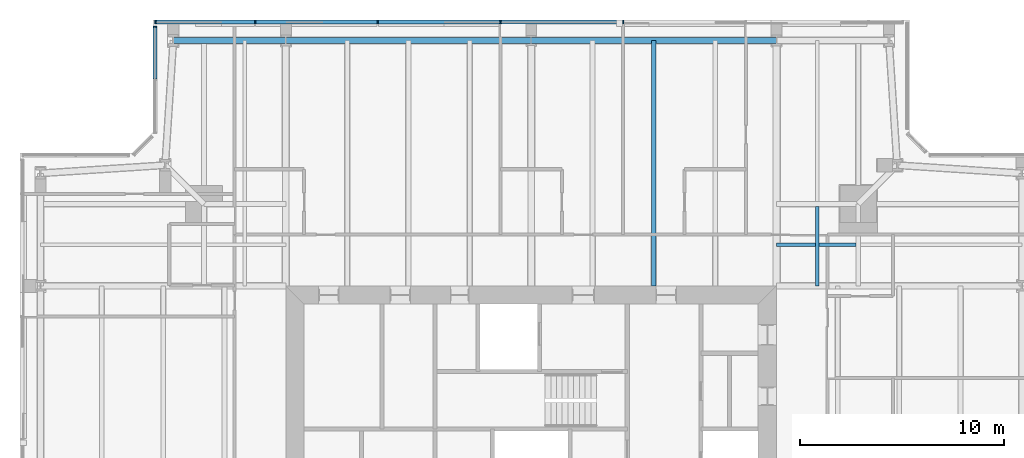
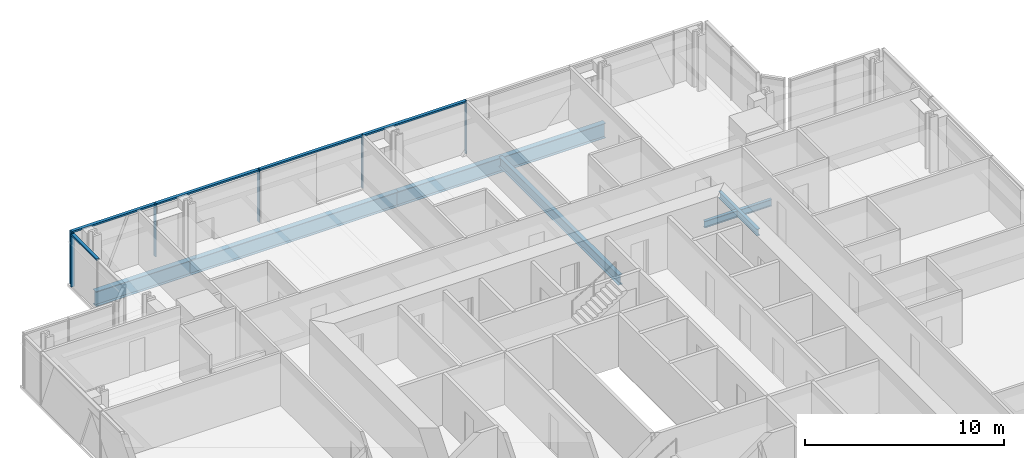
# One storey, part 8 of 18: 11 members, 7 beams, 2 elements without a shape of their own.
"""IFC4 building model written with IfcOpenShell, lengths in metres."""

from ifc_helpers import new_model, si_unit, direction, frame, origin, origin_2d, place, context, subcontext, project, spatial, rectangle, i_section, extrude, material, material_profile, profile_set, type_object, element, aggregate, save


model = new_model("IFC4")

# Units and contexts
model_context = context("Model", 3, precision=1e-05, world=origin(), true_north=direction((0.0, 1.0)))
body_context = subcontext(model_context, "Body", "Model", "MODEL_VIEW")
ifc_project = project(units=[si_unit("LENGTHUNIT", "METRE"), si_unit("AREAUNIT", "SQUARE_METRE"), si_unit("VOLUMEUNIT", "CUBIC_METRE"), si_unit("PLANEANGLEUNIT", "RADIAN"), si_unit("MASSUNIT", "GRAM", prefix="KILO")], contexts=[model_context])

# Site, building, storey
site_placement = place(None, origin())
site = spatial("IfcSite", under=ifc_project, at=site_placement, CompositionType="ELEMENT")
building_placement = place(site_placement, origin())
building = spatial("IfcBuilding", under=site, at=building_placement, Name="Fenwick Lantern Interchange", CompositionType="ELEMENT")
storey_placement = place(building_placement, frame((0.0, 0.0, 290.0)))
storey = spatial("IfcBuildingStorey", under=building, at=storey_placement, Name="L70", CompositionType="ELEMENT", Elevation=290.0)

# Beams
ifc_material_1 = material(Name="Steel ASTM A992 Grade 50", Category="steel")
ifc_material_profile_1 = material_profile(ifc_material_1, i_section(OverallWidth=0.3046875, OverallDepth=0.911865234375, WebThickness=0.015869140625, FlangeThickness=0.02392578125, at=origin_2d()), Name="W36X150")
ifc_profile_set_1 = profile_set([ifc_material_profile_1], Name="Steel ASTM A992 Grade 50")
beam_type_1 = type_object("IfcBeamType", Name="EDGE BEAM W36X150", PredefinedType="SPANDREL", material=ifc_profile_set_1)
for number, where, z_axis, x_axis, name in (
    (1, (37.0, 49.0, -0.60595703125), (-1.0, 0.0, 0.0), (0.0, -1.0, 0.0), "L70/FR/N/EB2"),
    (2, (25.0, 49.0, -0.60595703125), (-1.0, 0.0, 0.0), (0.0, -1.0, 0.0), "L70/FR/N/EB3"),
):
    element("IfcBeam", number, at=place(storey_placement, frame(where, z_axis=z_axis, x_axis=x_axis)), inside=storey, type_object=beam_type_1, Name=name, PredefinedType="SPANDREL", context=body_context, shape_type="SweptSolid", body=[
        extrude(i_section(OverallWidth=0.3046875, OverallDepth=0.911865234375, WebThickness=0.015869140625, FlangeThickness=0.02392578125, at=origin_2d()), origin(), (0.0, 0.0, 1.0), 12.0),
    ])
beam_1_placement = place(storey_placement, frame((13.0, 49.0, -0.60595703125), z_axis=(-1.0, 0.0, 0.0), x_axis=(0.0, -1.0, 0.0)))
element("IfcBeam", 3, at=beam_1_placement, inside=storey, type_object=beam_type_1, Name="L70/FR/N/EB4", PredefinedType="SPANDREL", context=body_context, shape_type="SweptSolid", body=[
    extrude(i_section(OverallWidth=0.3046875, OverallDepth=0.911865234375, WebThickness=0.015869140625, FlangeThickness=0.02392578125, at=origin_2d()), origin(), (0.0, 0.0, 1.0), 5.5),
])
ifc_material_profile_2 = material_profile(ifc_material_1, i_section(OverallWidth=0.22900390625, OverallDepth=0.612060546875, WebThickness=0.011962890625, FlangeThickness=0.01953125, at=origin_2d()), Name="W24X84")
ifc_profile_set_2 = profile_set([ifc_material_profile_2], Name="Steel ASTM A992 Grade 50")
beam_type_2 = type_object("IfcBeamType", Name="FLOOR BEAM W24X84", PredefinedType="BEAM", material=ifc_profile_set_2)
beam_2_placement = place(storey_placement, frame((31.0, 49.0, -0.4560546875), z_axis=(0.0, -1.0, 0.0), x_axis=(1.0, 0.0, 0.0)))
element("IfcBeam", 4, at=beam_2_placement, inside=storey, type_object=beam_type_2, Name="L70/FR/N/R03", PredefinedType="BEAM", context=body_context, shape_type="SweptSolid", body=[
    extrude(i_section(OverallWidth=0.22900390625, OverallDepth=0.612060546875, WebThickness=0.011962890625, FlangeThickness=0.01953125, at=origin_2d()), origin(), (0.0, 0.0, 1.0), 12.0),
])

# Curtain wall, members
ifc_material_2 = material(Name="Aluminium curtain wall frame", Category="aluminium")
curtain_wall_type = type_object("IfcCurtainWallType", Name="HOTEL CURTAIN WALL", PredefinedType="USERDEFINED", material=ifc_material_2)
curtain_wall_1_placement = place(storey_placement, origin())
curtain_wall_1 = element("IfcCurtainWall", 5, at=curtain_wall_1_placement, inside=storey, type_object=curtain_wall_type, Name="Hotel curtain wall 09", ObjectType="HOTEL CURTAIN WALL", PredefinedType="USERDEFINED")
ifc_material_3 = material(Name="Aluminium extrusion", Category="aluminium")
ifc_material_profile_3 = material_profile(ifc_material_3, rectangle(XDim=0.179931640625, YDim=0.06005859375, at=origin_2d()), Name="HOTEL CURTAIN WALL MULLION 60 X 180")
ifc_profile_set_3 = profile_set([ifc_material_profile_3], Name="Aluminium extrusion")
member_type_1 = type_object("IfcMemberType", Name="HOTEL CURTAIN WALL MULLION 60 X 180", PredefinedType="MULLION", material=ifc_profile_set_3)
member_1_placement = place(storey_placement, frame((29.5, 49.89990234375, 0.0), z_axis=(0.0, 0.0, 1.0), x_axis=(0.0, -1.0, 0.0)))
member_1 = element("IfcMember", 6, at=member_1_placement, type_object=member_type_1, Name="L70/CW/09/M03", PredefinedType="MULLION", context=body_context, shape_type="SweptSolid", body=[
    extrude(rectangle(XDim=0.179931640625, YDim=0.06005859375, at=origin_2d()), origin(), (0.0, 0.0, 1.0), 3.25),
])
member_2_placement = place(storey_placement, frame((23.5, 49.89990234375, 0.0), z_axis=(0.0, 0.0, 1.0), x_axis=(0.0, -1.0, 0.0)))
member_2 = element("IfcMember", 7, at=member_2_placement, type_object=member_type_1, Name="L70/CW/09/M04", PredefinedType="MULLION", context=body_context, shape_type="SweptSolid", body=[
    extrude(rectangle(XDim=0.179931640625, YDim=0.06005859375, at=origin_2d()), origin(), (0.0, 0.0, 1.0), 3.25),
])
member_3_placement = place(storey_placement, frame((17.5, 49.89990234375, 0.0), z_axis=(0.0, 0.0, 1.0), x_axis=(0.0, -1.0, 0.0)))
member_3 = element("IfcMember", 8, at=member_3_placement, type_object=member_type_1, Name="L70/CW/09/M05", PredefinedType="MULLION", context=body_context, shape_type="SweptSolid", body=[
    extrude(rectangle(XDim=0.179931640625, YDim=0.06005859375, at=origin_2d()), origin(), (0.0, 0.0, 1.0), 3.25),
])
member_4_placement = place(storey_placement, frame((11.5, 49.89990234375, 0.0), z_axis=(0.0, 0.0, 1.0), x_axis=(0.0, -1.0, 0.0)))
member_4 = element("IfcMember", 9, at=member_4_placement, type_object=member_type_1, Name="L70/CW/09/M06", PredefinedType="MULLION", context=body_context, shape_type="SweptSolid", body=[
    extrude(rectangle(XDim=0.179931640625, YDim=0.06005859375, at=origin_2d()), origin(), (0.0, 0.0, 1.0), 3.25),
])
member_5_placement = place(storey_placement, frame((6.6298828125, 49.89990234375, 0.0), z_axis=(0.0, 0.0, 1.0), x_axis=(0.0, -1.0, 0.0)))
member_5 = element("IfcMember", 10, at=member_5_placement, type_object=member_type_1, Name="L70/CW/09/M07", PredefinedType="MULLION", context=body_context, shape_type="SweptSolid", body=[
    extrude(rectangle(XDim=0.179931640625, YDim=0.06005859375, at=origin_2d()), origin(), (0.0, 0.0, 1.0), 3.25),
])

# Curtain wall, member
curtain_wall_2_placement = place(storey_placement, origin())
curtain_wall_2 = element("IfcCurtainWall", 11, at=curtain_wall_2_placement, inside=storey, type_object=curtain_wall_type, Name="Hotel curtain wall 10", ObjectType="HOTEL CURTAIN WALL", PredefinedType="USERDEFINED")
member_6_placement = place(storey_placement, frame((6.60009765625, 49.669921875, 0.0), z_axis=(0.0, 0.0, 1.0), x_axis=(1.0, 0.0, 0.0)))
member_6 = element("IfcMember", 12, at=member_6_placement, type_object=member_type_1, Name="L70/CW/10/M00", PredefinedType="MULLION", context=body_context, shape_type="SweptSolid", body=[
    extrude(rectangle(XDim=0.179931640625, YDim=0.06005859375, at=origin_2d()), origin(), (0.0, 0.0, 1.0), 3.25),
])

# Member
ifc_material_profile_4 = material_profile(ifc_material_3, rectangle(XDim=0.179931640625, YDim=0.10009765625, at=origin_2d()), Name="HOTEL CURTAIN WALL TRANSOM 100 X 180")
ifc_profile_set_4 = profile_set([ifc_material_profile_4], Name="Aluminium extrusion")
member_type_2 = type_object("IfcMemberType", Name="HOTEL CURTAIN WALL TRANSOM 100 X 180", PredefinedType="MULLION", material=ifc_profile_set_4)
member_7_placement = place(storey_placement, frame((29.469970703125, 49.89990234375, 3.199951171875), z_axis=(-1.0, 0.0, 0.0), x_axis=(0.0, -1.0, 0.0)))
member_7 = element("IfcMember", 13, at=member_7_placement, type_object=member_type_2, Name="L70/CW/09/T03", PredefinedType="MULLION", context=body_context, shape_type="SweptSolid", body=[
    extrude(rectangle(XDim=0.179931640625, YDim=0.10009765625, at=origin_2d()), origin(), (0.0, 0.0, 1.0), 5.93994140625),
])

member_8_placement = place(storey_placement, frame((23.469970703125, 49.89990234375, 3.199951171875), z_axis=(-1.0, 0.0, 0.0), x_axis=(0.0, -1.0, 0.0)))
member_8 = element("IfcMember", 14, at=member_8_placement, type_object=member_type_2, Name="L70/CW/09/T04", PredefinedType="MULLION", context=body_context, shape_type="SweptSolid", body=[
    extrude(rectangle(XDim=0.179931640625, YDim=0.10009765625, at=origin_2d()), origin(), (0.0, 0.0, 1.0), 5.93994140625),
])

member_9_placement = place(storey_placement, frame((17.469970703125, 49.89990234375, 3.199951171875), z_axis=(-1.0, 0.0, 0.0), x_axis=(0.0, -1.0, 0.0)))
member_9 = element("IfcMember", 15, at=member_9_placement, type_object=member_type_2, Name="L70/CW/09/T05", PredefinedType="MULLION", context=body_context, shape_type="SweptSolid", body=[
    extrude(rectangle(XDim=0.179931640625, YDim=0.10009765625, at=origin_2d()), origin(), (0.0, 0.0, 1.0), 5.93994140625),
])

member_10_placement = place(storey_placement, frame((11.469970703125, 49.89990234375, 3.199951171875), z_axis=(-1.0, 0.0, 0.0), x_axis=(0.0, -1.0, 0.0)))
member_10 = element("IfcMember", 16, at=member_10_placement, type_object=member_type_2, Name="L70/CW/09/T06", PredefinedType="MULLION", context=body_context, shape_type="SweptSolid", body=[
    extrude(rectangle(XDim=0.179931640625, YDim=0.10009765625, at=origin_2d()), origin(), (0.0, 0.0, 1.0), 4.81005859375),
])

aggregate(curtain_wall_1, [member_1, member_2, member_3, member_4, member_5, member_7, member_8, member_9, member_10])

member_11_placement = place(storey_placement, frame((6.60009765625, 49.639892578125, 3.199951171875), z_axis=(0.0, -1.0, 0.0), x_axis=(1.0, 0.0, 0.0)))
member_11 = element("IfcMember", 17, at=member_11_placement, type_object=member_type_2, Name="L70/CW/10/T00", PredefinedType="MULLION", context=body_context, shape_type="SweptSolid", body=[
    extrude(rectangle(XDim=0.179931640625, YDim=0.10009765625, at=origin_2d()), origin(), (0.0, 0.0, 1.0), 2.530517578125),
])

aggregate(curtain_wall_2, [member_6, member_11])

# Beams
ifc_material_profile_5 = material_profile(ifc_material_1, i_section(OverallWidth=0.177734375, OverallDepth=0.406494140625, WebThickness=0.0078125, FlangeThickness=0.012939453125, at=origin_2d()), Name="W16X40")
ifc_profile_set_5 = profile_set([ifc_material_profile_5], Name="Steel ASTM A992 Grade 50")
beam_type_3 = type_object("IfcBeamType", Name="INFILL BEAM W16X40", PredefinedType="JOIST", material=ifc_profile_set_5)
beam_3_placement = place(storey_placement, frame((39.0, 40.885498046875, -0.353271484375), z_axis=(0.0, -1.0, 0.0), x_axis=(1.0, 0.0, 0.0)))
element("IfcBeam", 18, at=beam_3_placement, inside=storey, type_object=beam_type_3, Name="L70/FR/N/J2", PredefinedType="JOIST", context=body_context, shape_type="SweptSolid", body=[
    extrude(i_section(OverallWidth=0.177734375, OverallDepth=0.406494140625, WebThickness=0.0078125, FlangeThickness=0.012939453125, at=origin_2d()), origin(), (0.0, 0.0, 1.0), 3.885498046875),
])
beam_4_placement = place(storey_placement, frame((40.885498046875, 39.0, -0.353271484375), z_axis=(-1.0, 0.0, 0.0), x_axis=(0.0, -1.0, 0.0)))
element("IfcBeam", 19, at=beam_4_placement, inside=storey, type_object=beam_type_3, Name="L70/FR/N/J4", PredefinedType="JOIST", context=body_context, shape_type="SweptSolid", body=[
    extrude(i_section(OverallWidth=0.177734375, OverallDepth=0.406494140625, WebThickness=0.0078125, FlangeThickness=0.012939453125, at=origin_2d()), origin(), (0.0, 0.0, 1.0), 1.796630859375),
])
beam_5_placement = place(storey_placement, frame((38.9111328125, 39.0, -0.353271484375), z_axis=(-1.0, 0.0, 0.0), x_axis=(0.0, -1.0, 0.0)))
element("IfcBeam", 20, at=beam_5_placement, inside=storey, type_object=beam_type_3, Name="L70/FR/N/J5", PredefinedType="JOIST", context=body_context, shape_type="SweptSolid", body=[
    extrude(i_section(OverallWidth=0.177734375, OverallDepth=0.406494140625, WebThickness=0.0078125, FlangeThickness=0.012939453125, at=origin_2d()), origin(), (0.0, 0.0, 1.0), 1.9111328125),
])

save(model, "model.ifc")
